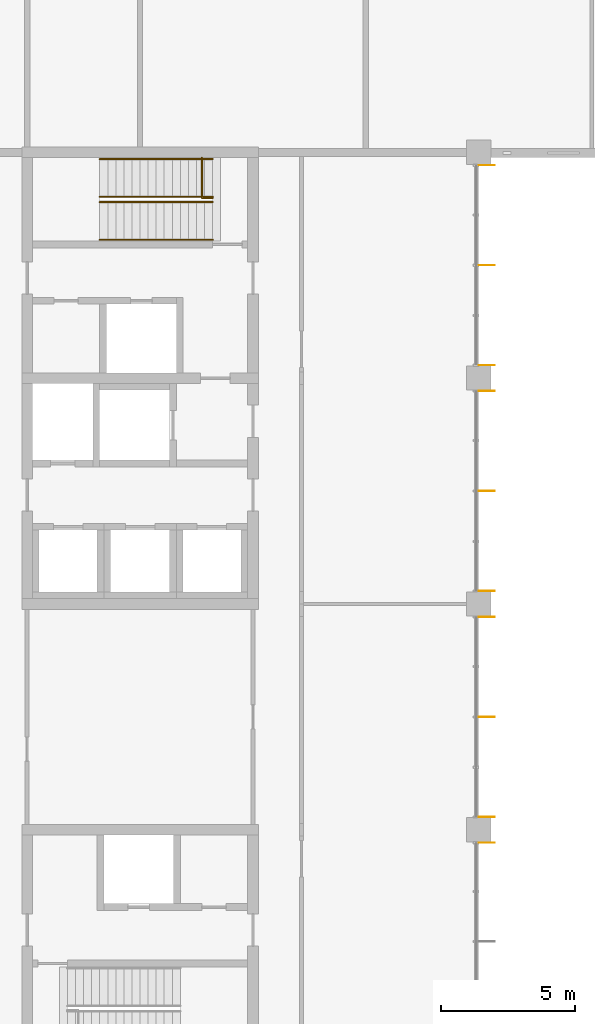
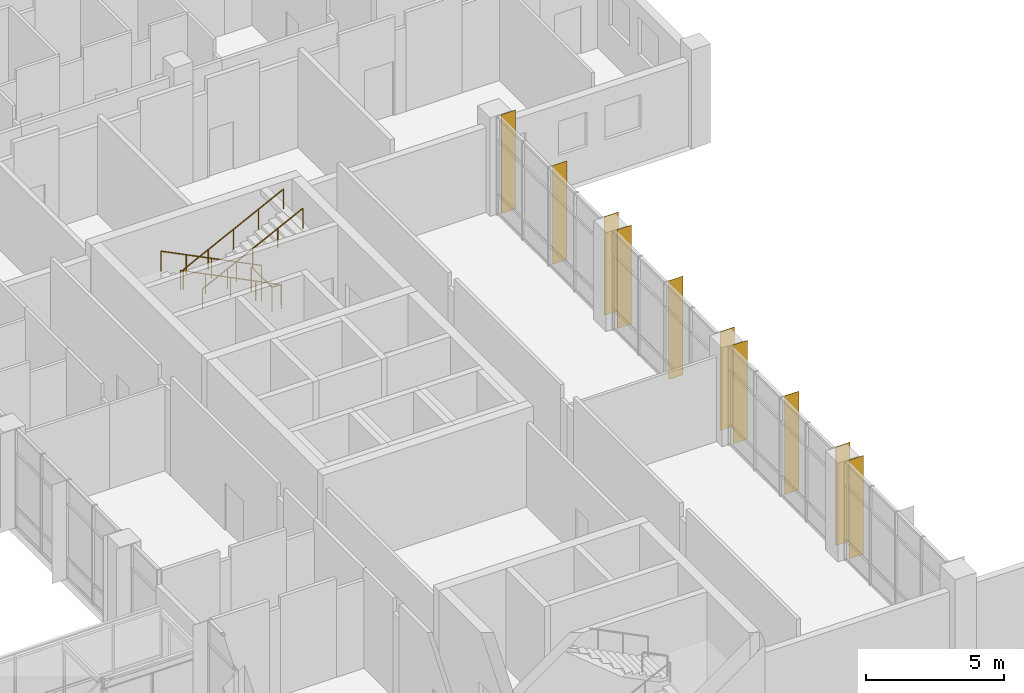
# One storey, part 65 of 70: 10 shading devices, 5 railings.
"""IFC4 building model written with IfcOpenShell, lengths in metres."""

from ifc_helpers import new_model, si_unit, direction, frame, origin, origin_2d, place, context, subcontext, project, spatial, rectangle, circle, extrude, material, layer, layer_set, type_object, element, save


model = new_model("IFC4")

# Units and contexts
model_context = context("Model", 3, precision=1e-05, world=origin(), true_north=direction((0.0, 1.0)))
body_context = subcontext(model_context, "Body", "Model", "MODEL_VIEW")
ifc_project = project(units=[si_unit("LENGTHUNIT", "METRE"), si_unit("AREAUNIT", "SQUARE_METRE"), si_unit("VOLUMEUNIT", "CUBIC_METRE"), si_unit("PLANEANGLEUNIT", "RADIAN"), si_unit("MASSUNIT", "GRAM", prefix="KILO")], contexts=[model_context])

# Site, building, storey
site_placement = place(None, origin())
site = spatial("IfcSite", under=ifc_project, at=site_placement, CompositionType="ELEMENT")
building_placement = place(site_placement, origin())
building = spatial("IfcBuilding", under=site, at=building_placement, Name="Hlaing Beacon Police Headquarters", CompositionType="ELEMENT")
storey_placement = place(building_placement, frame((0.0, 0.0, 5.39990234375)))
storey = spatial("IfcBuildingStorey", under=building, at=storey_placement, Name="L01", CompositionType="ELEMENT", Elevation=5.39990234375)

# Shading devices
ifc_material_1 = material(Name="Aluminium 6063-T5 anodised", Category="aluminium")
ifc_layer = layer(ifc_material_1, 0.011962890625)
ifc_layer_set = layer_set([ifc_layer], Name="Aluminium 6063-T5 anodised")
shading_device_type = type_object("IfcShadingDeviceType", Name="Aluminium fin 12x600", PredefinedType="JALOUSIE", material=ifc_layer_set)
for number, where, z_axis, x_axis, name in (
    (1, (126.300048828125, 41.52001953125, 0.0), (0.0, 0.0, 1.0), (0.0, 1.0, 0.0), "Fin L01 E019.4"),
    (2, (126.300048828125, 42.47998046875, 0.0), (0.0, 0.0, 1.0), (0.0, 1.0, 0.0), "Fin L01 E020.0"),
    (3, (126.300048828125, 46.199951171875, 0.0), (0.0, 0.0, 1.0), (0.0, 1.0, 0.0), "Fin L01 E020.2"),
    (4, (126.300048828125, 49.919921875, 0.0), (0.0, 0.0, 1.0), (0.0, 1.0, 0.0), "Fin L01 E020.4"),
    (5, (126.300048828125, 50.8798828125, 0.0), (0.0, 0.0, 1.0), (0.0, 1.0, 0.0), "Fin L01 E021.0"),
    (6, (126.300048828125, 54.60009765625, 0.0), (0.0, 0.0, 1.0), (0.0, 1.0, 0.0), "Fin L01 E021.2"),
    (7, (126.300048828125, 58.320068359375, 0.0), (0.0, 0.0, 1.0), (0.0, 1.0, 0.0), "Fin L01 E021.4"),
    (8, (126.300048828125, 59.280029296875, 0.0), (0.0, 0.0, 1.0), (0.0, 1.0, 0.0), "Fin L01 E022.0"),
    (9, (126.300048828125, 63.0, 0.0), (0.0, 0.0, 1.0), (0.0, 1.0, 0.0), "Fin L01 E022.2"),
    (10, (126.300048828125, 66.719970703125, 0.0), (0.0, 0.0, 1.0), (0.0, 1.0, 0.0), "Fin L01 E022.4"),
):
    element("IfcShadingDevice", number, at=place(storey_placement, frame(where, z_axis=z_axis, x_axis=x_axis)), inside=storey, type_object=shading_device_type, Name=name, PredefinedType="JALOUSIE", context=body_context, shape_type="SweptSolid", body=[
        extrude(rectangle(XDim=0.011962890625, YDim=0.60009765625, at=origin_2d()), origin(), (0.0, 0.0, 1.0), 4.3701171875),
    ])

# Railings
ifc_material_2 = material(Name="Stainless steel", Category="steel")
railing_type_1 = type_object("IfcRailingType", Name="Stair guard 1100", PredefinedType="GUARDRAIL", material=ifc_material_2)
railing_placement = place(storey_placement, frame((115.699951171875, 67.0, 0.0)))
element("IfcRailing", 11, at=railing_placement, inside=storey, type_object=railing_type_1, Name="Guard ST-M", PredefinedType="GUARDRAIL", context=body_context, shape_type="SweptSolid", body=[
    extrude(circle(Radius=0.02392578125, at=origin_2d()), frame((0.0, 0.0, 1.076171875), z_axis=(0.0, -1.0, 0.0), x_axis=(1.0, 0.0, 0.0)), (0.0, 0.0, 1.0), 1.5),
    extrude(circle(Radius=0.02392578125, at=origin_2d()), frame((0.0, -1.5, 1.076171875), z_axis=(1.0, 0.0, 0.0), x_axis=(0.0, 1.0, 0.0)), (0.0, 0.0, 1.0), 0.400146484375),
    extrude(circle(Radius=0.02099609375, at=origin_2d()), origin(), (0.0, 0.0, 1.0), 1.052001953125),
    extrude(circle(Radius=0.02099609375, at=origin_2d()), frame((0.0, -0.75, 0.0)), (0.0, 0.0, 1.0), 1.052001953125),
    extrude(circle(Radius=0.02099609375, at=origin_2d()), frame((0.0, -1.5, 0.0)), (0.0, 0.0, 1.0), 1.052001953125),
    extrude(circle(Radius=0.02099609375, at=origin_2d()), frame((0.400146484375, -1.5, 0.0)), (0.0, 0.0, 1.0), 1.052001953125),
])
ifc_material_3 = material(Name="Stainless steel", Category="steel")
railing_type_2 = type_object("IfcRailingType", Name="Stair handrail 900", PredefinedType="HANDRAIL", material=ifc_material_3)
for number, where, name in (
    (12, (116.10009765625, 66.949951171875, 0.150146484375), "Handrail ST-M"),
    (13, (116.10009765625, 65.550048828125, 0.150146484375), "Handrail ST-M"),
):
    element("IfcRailing", number, at=place(storey_placement, frame(where)), inside=storey, type_object=railing_type_2, Name=name, PredefinedType="HANDRAIL", context=body_context, shape_type="SweptSolid", body=[
        extrude(circle(Radius=0.02392578125, at=origin_2d()), frame((0.0, 0.0, 0.8759765625), z_axis=(-0.894447986312, 0.0, 0.447172002457), x_axis=(0.0, -1.0, 0.0)), (0.0, 0.0, 1.0), 4.69580078125),
        extrude(circle(Radius=0.02099609375, at=origin_2d()), origin(), (0.0, 0.0, 1.0), 0.851806640625),
        extrude(circle(Radius=0.02099609375, at=origin_2d()), frame((-1.050048828125, 0.0, 0.52490234375)), (0.0, 0.0, 1.0), 0.851806640625),
        extrude(circle(Radius=0.02099609375, at=origin_2d()), frame((-2.10009765625, 0.0, 1.0498046875)), (0.0, 0.0, 1.0), 0.851806640625),
        extrude(circle(Radius=0.02099609375, at=origin_2d()), frame((-3.150146484375, 0.0, 1.574951171875)), (0.0, 0.0, 1.0), 0.851806640625),
        extrude(circle(Radius=0.02099609375, at=origin_2d()), frame((-4.2001953125, 0.0, 2.099853515625)), (0.0, 0.0, 1.0), 0.851806640625),
    ])
for number, where, name in (
    (14, (111.89990234375, 65.35009765625, 2.400146484375), "Handrail ST-M"),
    (15, (111.89990234375, 63.949951171875, 2.400146484375), "Handrail ST-M"),
):
    element("IfcRailing", number, at=place(storey_placement, frame(where)), inside=storey, type_object=railing_type_2, Name=name, PredefinedType="HANDRAIL", context=body_context, shape_type="SweptSolid", body=[
        extrude(circle(Radius=0.02392578125, at=origin_2d()), frame((0.0, 0.0, 0.8759765625), z_axis=(0.894447986312, 0.0, 0.447172002457), x_axis=(0.0, 1.0, 0.0)), (0.0, 0.0, 1.0), 4.69580078125),
        extrude(circle(Radius=0.02099609375, at=origin_2d()), origin(), (0.0, 0.0, 1.0), 0.851806640625),
        extrude(circle(Radius=0.02099609375, at=origin_2d()), frame((1.050048828125, 0.0, 0.52490234375)), (0.0, 0.0, 1.0), 0.851806640625),
        extrude(circle(Radius=0.02099609375, at=origin_2d()), frame((2.10009765625, 0.0, 1.0498046875)), (0.0, 0.0, 1.0), 0.851806640625),
        extrude(circle(Radius=0.02099609375, at=origin_2d()), frame((3.150146484375, 0.0, 1.574951171875)), (0.0, 0.0, 1.0), 0.851806640625),
        extrude(circle(Radius=0.02099609375, at=origin_2d()), frame((4.2001953125, 0.0, 2.099853515625)), (0.0, 0.0, 1.0), 0.851806640625),
    ])

save(model, "model.ifc")
